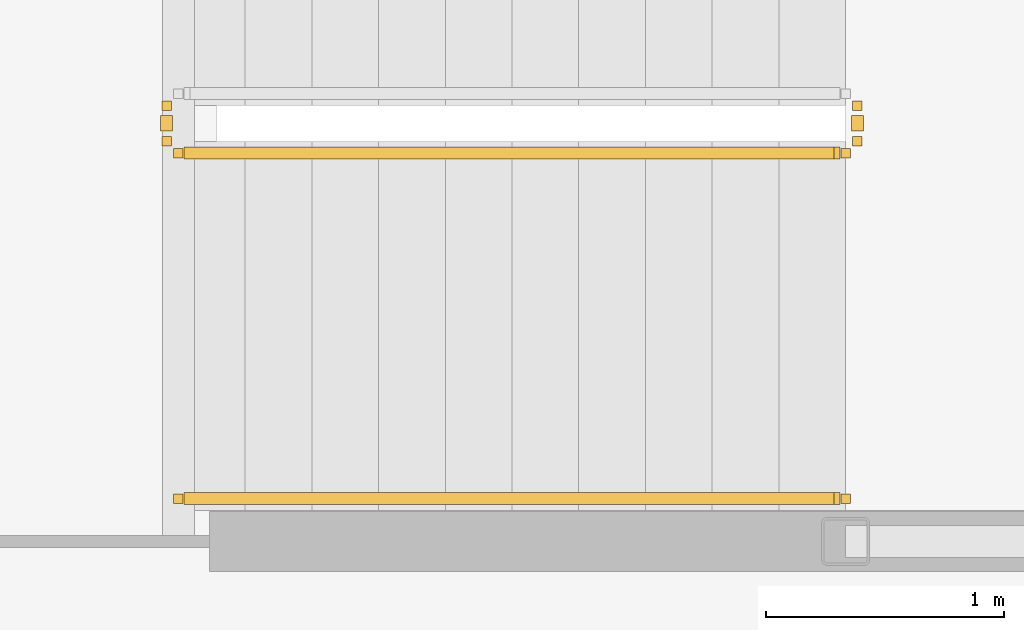
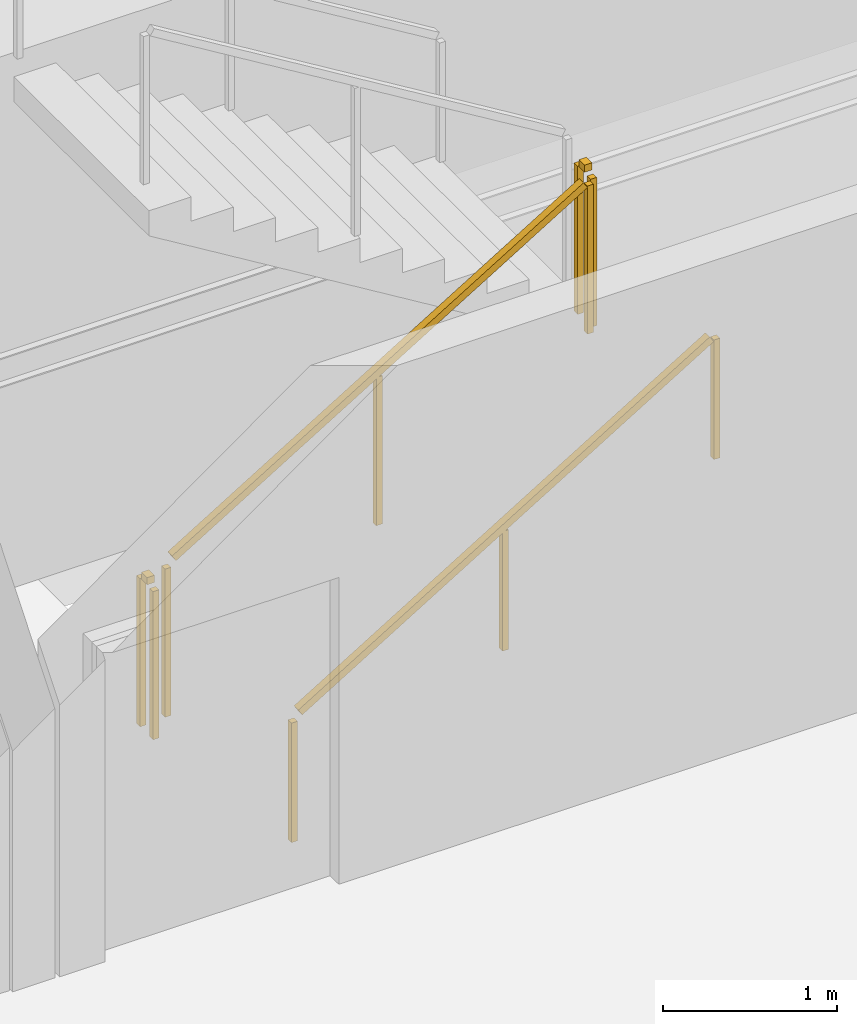
# One storey, part 18 of 19: 4 railings.
"""IFC4 building model written with IfcOpenShell, lengths in metres."""

from ifc_helpers import new_model, si_unit, direction, frame, origin, origin_2d, place, context, subcontext, project, spatial, rectangle, extrude, material, type_object, element, save


model = new_model("IFC4")

# Units and contexts
model_context = context("Model", 3, precision=1e-05, world=origin(), true_north=direction((0.0, 1.0)))
body_context = subcontext(model_context, "Body", "Model", "MODEL_VIEW")
ifc_project = project(units=[si_unit("LENGTHUNIT", "METRE"), si_unit("AREAUNIT", "SQUARE_METRE"), si_unit("VOLUMEUNIT", "CUBIC_METRE"), si_unit("PLANEANGLEUNIT", "RADIAN"), si_unit("MASSUNIT", "GRAM", prefix="KILO")], contexts=[model_context])

# Site, building, storey
site_placement = place(None, origin())
site = spatial("IfcSite", under=ifc_project, at=site_placement, CompositionType="ELEMENT")
building_placement = place(site_placement, origin())
building = spatial("IfcBuilding", under=site, at=building_placement, Name="Kazma Halo Residences", CompositionType="ELEMENT")
storey_placement = place(building_placement, frame((0.0, 0.0, 199.050048828125)))
storey = spatial("IfcBuildingStorey", under=building, at=storey_placement, Name="L50", CompositionType="ELEMENT", Elevation=199.050048828125)

# Railings
ifc_material_1 = material(Name="Painted Steel S355", Category="steel")
railing_type_1 = type_object("IfcRailingType", Name="RLG-STAIR-GRD-1100", PredefinedType="GUARDRAIL", material=ifc_material_1)
railing_1_placement = place(storey_placement, frame((53.199951171875, 48.25, 0.17041015625)))
element("IfcRailing", 1, at=railing_1_placement, inside=storey, type_object=railing_type_1, Name="L50 ST-02 stair guard 1", PredefinedType="GUARDRAIL", context=body_context, shape_type="SweptSolid", body=[
    extrude(rectangle(XDim=0.050048828125, YDim=0.050048828125, at=origin_2d()), frame((0.036376953125, 0.0, 1.09716796875), z_axis=(0.854169791009, 0.0, 0.51999420009), x_axis=(0.0, 1.0, 0.0)), (0.0, 0.0, 1.0), 3.193115234375),
    extrude(rectangle(XDim=0.0400390625, YDim=0.0400390625, at=origin_2d()), origin(), (0.0, 0.0, 1.0), 1.0380859375),
    extrude(rectangle(XDim=0.0400390625, YDim=0.0400390625, at=origin_2d()), frame((1.39990234375, 0.0, 0.852294921875)), (0.0, 0.0, 1.0), 1.0380859375),
    extrude(rectangle(XDim=0.0400390625, YDim=0.0400390625, at=origin_2d()), frame((2.800048828125, 0.0, 1.70458984375)), (0.0, 0.0, 1.0), 1.0380859375),
])
for number, where, name in (
    (2, (56.050048828125, 48.300048828125, 1.875), "L50 ST-02 stair guard 2"),
    (3, (53.14990234375, 48.300048828125, 0.0), "L50 ST-02 stair guard 4"),
):
    element("IfcRailing", number, at=place(storey_placement, frame(where)), inside=storey, type_object=railing_type_1, Name=name, PredefinedType="GUARDRAIL", context=body_context, shape_type="SweptSolid", body=[
        extrude(rectangle(XDim=0.050048828125, YDim=0.050048828125, at=origin_2d()), frame((0.0, 0.04248046875, 1.0751953125), z_axis=(0.0, 1.0, 0.0), x_axis=(-1.0, 0.0, 0.0)), (0.0, 0.0, 1.0), 0.06494140625),
        extrude(rectangle(XDim=0.0400390625, YDim=0.0400390625, at=origin_2d()), origin(), (0.0, 0.0, 1.0), 1.0380859375),
        extrude(rectangle(XDim=0.0400390625, YDim=0.0400390625, at=origin_2d()), frame((0.0, 0.14990234375, 0.0)), (0.0, 0.0, 1.0), 1.0380859375),
    ])
ifc_material_2 = material(Name="Brushed Stainless Steel", Category="steel")
railing_type_2 = type_object("IfcRailingType", Name="RLG-STAIR-HND-900", PredefinedType="HANDRAIL", material=ifc_material_2)
railing_2_placement = place(storey_placement, frame((53.199951171875, 46.800048828125, 0.17041015625)))
element("IfcRailing", 4, at=railing_2_placement, inside=storey, type_object=railing_type_2, Name="L50 ST-02 stair handrail 1", PredefinedType="HANDRAIL", context=body_context, shape_type="SweptSolid", body=[
    extrude(rectangle(XDim=0.050048828125, YDim=0.050048828125, at=origin_2d()), frame((0.036376953125, 0.0, 0.89697265625), z_axis=(0.854169791009, 0.0, 0.51999420009), x_axis=(0.0, 1.0, 0.0)), (0.0, 0.0, 1.0), 3.193115234375),
    extrude(rectangle(XDim=0.0400390625, YDim=0.0400390625, at=origin_2d()), origin(), (0.0, 0.0, 1.0), 0.837890625),
    extrude(rectangle(XDim=0.0400390625, YDim=0.0400390625, at=origin_2d()), frame((1.39990234375, 0.0, 0.852294921875)), (0.0, 0.0, 1.0), 0.837890625),
    extrude(rectangle(XDim=0.0400390625, YDim=0.0400390625, at=origin_2d()), frame((2.800048828125, 0.0, 1.70458984375)), (0.0, 0.0, 1.0), 0.837890625),
])

save(model, "model.ifc")
